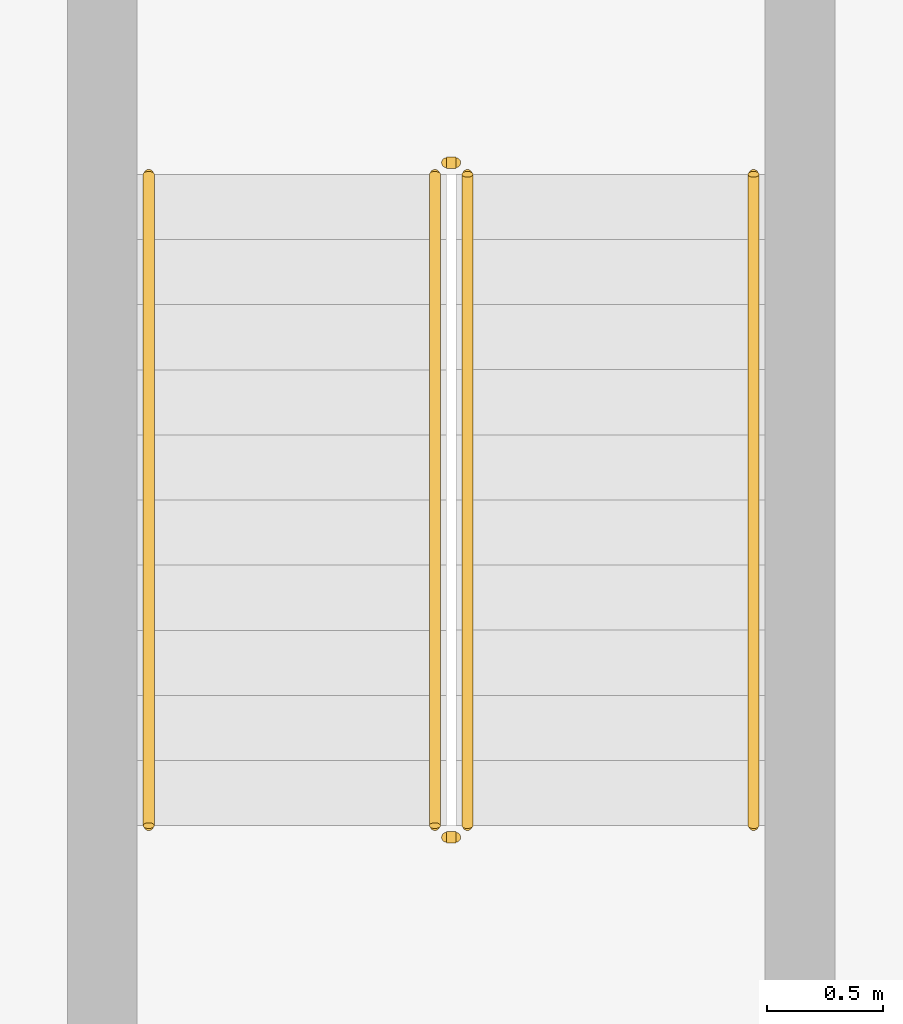
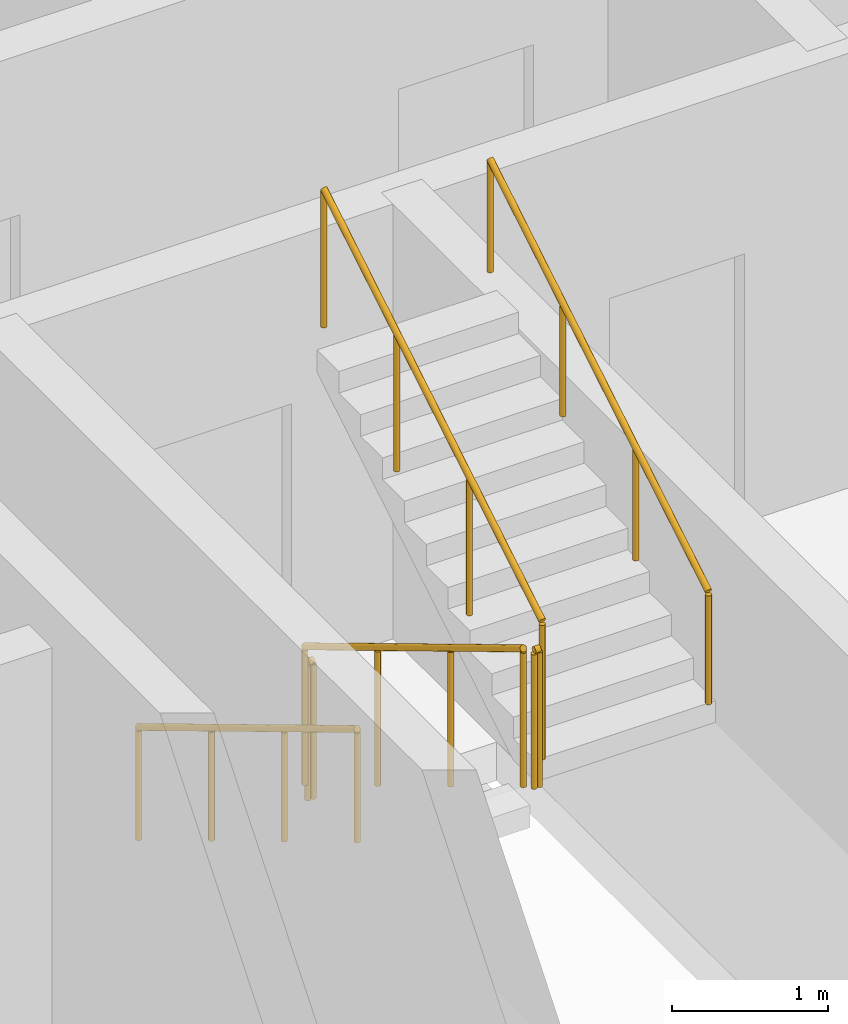
# One storey, part 19 of 19: 6 railings.
"""IFC4 building model written with IfcOpenShell, lengths in metres."""

from ifc_helpers import new_model, si_unit, direction, frame, origin, origin_2d, place, context, subcontext, project, spatial, circle, extrude, material, type_object, element, save


model = new_model("IFC4")

# Units and contexts
model_context = context("Model", 3, precision=1e-05, world=origin(), true_north=direction((0.0, 1.0)))
body_context = subcontext(model_context, "Body", "Model", "MODEL_VIEW")
ifc_project = project(units=[si_unit("LENGTHUNIT", "METRE"), si_unit("AREAUNIT", "SQUARE_METRE"), si_unit("VOLUMEUNIT", "CUBIC_METRE"), si_unit("PLANEANGLEUNIT", "RADIAN"), si_unit("MASSUNIT", "GRAM", prefix="KILO")], contexts=[model_context])

# Site, building, storey
site_placement = place(None, origin())
site = spatial("IfcSite", under=ifc_project, at=site_placement, CompositionType="ELEMENT")
building_placement = place(site_placement, origin())
building = spatial("IfcBuilding", under=site, at=building_placement, Name="Ogive Portal Towers", CompositionType="ELEMENT")
storey_placement = place(building_placement, frame((0.0, 0.0, 203.199951171875)))
storey = spatial("IfcBuildingStorey", under=building, at=storey_placement, Name="L50", CompositionType="ELEMENT", Elevation=203.199951171875)

# Railings
ifc_material_1 = material(Name="Stainless steel balustrade", Category="steel")
railing_type_1 = type_object("IfcRailingType", Name="INT-GUARD", PredefinedType="GUARDRAIL", material=ifc_material_1)
railing_1_placement = place(storey_placement, frame((88.280029296875, 29.169921875, 0.168212890625)))
element("IfcRailing", 1, at=railing_1_placement, inside=storey, type_object=railing_type_1, Name="L50 ST-A4 stair guard 1", PredefinedType="GUARDRAIL", context=body_context, shape_type="SweptSolid", body=[
    extrude(circle(Radius=0.02392578125, at=origin_2d()), frame((0.0, 0.0, 1.076171875), z_axis=(0.0, -0.857222391501, 0.514946377315), x_axis=(1.0, 0.0, 0.0)), (0.0, 0.0, 1.0), 3.26611328125),
    extrude(circle(Radius=0.02099609375, at=origin_2d()), origin(), (0.0, 0.0, 1.0), 1.052001953125),
    extrude(circle(Radius=0.02099609375, at=origin_2d()), frame((0.0, -0.933349609375, 0.560546875)), (0.0, 0.0, 1.0), 1.052001953125),
    extrude(circle(Radius=0.02099609375, at=origin_2d()), frame((0.0, -1.866455078125, 1.121337890625)), (0.0, 0.0, 1.0), 1.052001953125),
    extrude(circle(Radius=0.02099609375, at=origin_2d()), frame((0.0, -2.7998046875, 1.681884765625)), (0.0, 0.0, 1.0), 1.052001953125),
])
railing_2_placement = place(storey_placement, frame((88.330078125, 26.320068359375, 1.85009765625)))
element("IfcRailing", 2, at=railing_2_placement, inside=storey, type_object=railing_type_1, Name="L50 ST-A4 stair guard 2", PredefinedType="GUARDRAIL", context=body_context, shape_type="SweptSolid", body=[
    extrude(circle(Radius=0.02392578125, at=origin_2d()), frame((0.0, 0.0, 1.076171875), z_axis=(1.0, 0.0, 0.0), x_axis=(0.0, 1.0, 0.0)), (0.0, 0.0, 1.0), 0.0400390625),
    extrude(circle(Radius=0.02099609375, at=origin_2d()), origin(), (0.0, 0.0, 1.0), 1.052001953125),
    extrude(circle(Radius=0.02099609375, at=origin_2d()), frame((0.0400390625, 0.0, 0.0)), (0.0, 0.0, 1.0), 1.052001953125),
])
railing_3_placement = place(storey_placement, frame((88.419921875, 26.3701171875, 2.018310546875)))
element("IfcRailing", 3, at=railing_3_placement, inside=storey, type_object=railing_type_1, Name="L50 ST-A4 stair guard 3", PredefinedType="GUARDRAIL", context=body_context, shape_type="SweptSolid", body=[
    extrude(circle(Radius=0.02392578125, at=origin_2d()), frame((0.0, 0.0, 1.076171875), z_axis=(0.0, 0.857255387014, 0.514891446264), x_axis=(-1.0, 0.0, 0.0)), (0.0, 0.0, 1.0), 3.26611328125),
    extrude(circle(Radius=0.02099609375, at=origin_2d()), origin(), (0.0, 0.0, 1.0), 1.052001953125),
    extrude(circle(Radius=0.02099609375, at=origin_2d()), frame((0.0, 0.933349609375, 0.560546875)), (0.0, 0.0, 1.0), 1.052001953125),
    extrude(circle(Radius=0.02099609375, at=origin_2d()), frame((0.0, 1.866455078125, 1.12109375)), (0.0, 0.0, 1.0), 1.052001953125),
    extrude(circle(Radius=0.02099609375, at=origin_2d()), frame((0.0, 2.7998046875, 1.681640625)), (0.0, 0.0, 1.0), 1.052001953125),
])
railing_4_placement = place(storey_placement, frame((88.330078125, 29.219970703125, 0.0)))
element("IfcRailing", 4, at=railing_4_placement, inside=storey, type_object=railing_type_1, Name="L50 ST-A4 stair guard 4", PredefinedType="GUARDRAIL", context=body_context, shape_type="SweptSolid", body=[
    extrude(circle(Radius=0.02392578125, at=origin_2d()), frame((0.0, 0.0, 1.076171875), z_axis=(1.0, 0.0, 0.0), x_axis=(0.0, 1.0, 0.0)), (0.0, 0.0, 1.0), 0.0400390625),
    extrude(circle(Radius=0.02099609375, at=origin_2d()), origin(), (0.0, 0.0, 1.0), 1.052001953125),
    extrude(circle(Radius=0.02099609375, at=origin_2d()), frame((0.0400390625, 0.0, 0.0)), (0.0, 0.0, 1.0), 1.052001953125),
])
ifc_material_2 = material(Name="Stainless steel handrail", Category="steel")
railing_type_2 = type_object("IfcRailingType", Name="INT-HANDRAIL", PredefinedType="HANDRAIL", material=ifc_material_2)
railing_5_placement = place(storey_placement, frame((87.050048828125, 29.169921875, 0.168212890625)))
element("IfcRailing", 5, at=railing_5_placement, inside=storey, type_object=railing_type_2, Name="L50 ST-A4 stair handrail 1", PredefinedType="HANDRAIL", context=body_context, shape_type="SweptSolid", body=[
    extrude(circle(Radius=0.02392578125, at=origin_2d()), frame((0.0, 0.0, 0.8759765625), z_axis=(0.0, -0.857222391501, 0.514946377315), x_axis=(1.0, 0.0, 0.0)), (0.0, 0.0, 1.0), 3.26611328125),
    extrude(circle(Radius=0.02099609375, at=origin_2d()), origin(), (0.0, 0.0, 1.0), 0.851806640625),
    extrude(circle(Radius=0.02099609375, at=origin_2d()), frame((0.0, -0.933349609375, 0.560546875)), (0.0, 0.0, 1.0), 0.851806640625),
    extrude(circle(Radius=0.02099609375, at=origin_2d()), frame((0.0, -1.866455078125, 1.121337890625)), (0.0, 0.0, 1.0), 0.851806640625),
    extrude(circle(Radius=0.02099609375, at=origin_2d()), frame((0.0, -2.7998046875, 1.681884765625)), (0.0, 0.0, 1.0), 0.851806640625),
])
railing_6_placement = place(storey_placement, frame((89.64990234375, 26.3701171875, 2.018310546875)))
element("IfcRailing", 6, at=railing_6_placement, inside=storey, type_object=railing_type_2, Name="L50 ST-A4 stair handrail 2", PredefinedType="HANDRAIL", context=body_context, shape_type="SweptSolid", body=[
    extrude(circle(Radius=0.02392578125, at=origin_2d()), frame((0.0, 0.0, 0.8759765625), z_axis=(0.0, 0.857255387014, 0.514891446264), x_axis=(-1.0, 0.0, 0.0)), (0.0, 0.0, 1.0), 3.26611328125),
    extrude(circle(Radius=0.02099609375, at=origin_2d()), origin(), (0.0, 0.0, 1.0), 0.851806640625),
    extrude(circle(Radius=0.02099609375, at=origin_2d()), frame((0.0, 0.933349609375, 0.560546875)), (0.0, 0.0, 1.0), 0.851806640625),
    extrude(circle(Radius=0.02099609375, at=origin_2d()), frame((0.0, 1.866455078125, 1.12109375)), (0.0, 0.0, 1.0), 0.851806640625),
    extrude(circle(Radius=0.02099609375, at=origin_2d()), frame((0.0, 2.7998046875, 1.681640625)), (0.0, 0.0, 1.0), 0.851806640625),
])

save(model, "model.ifc")
